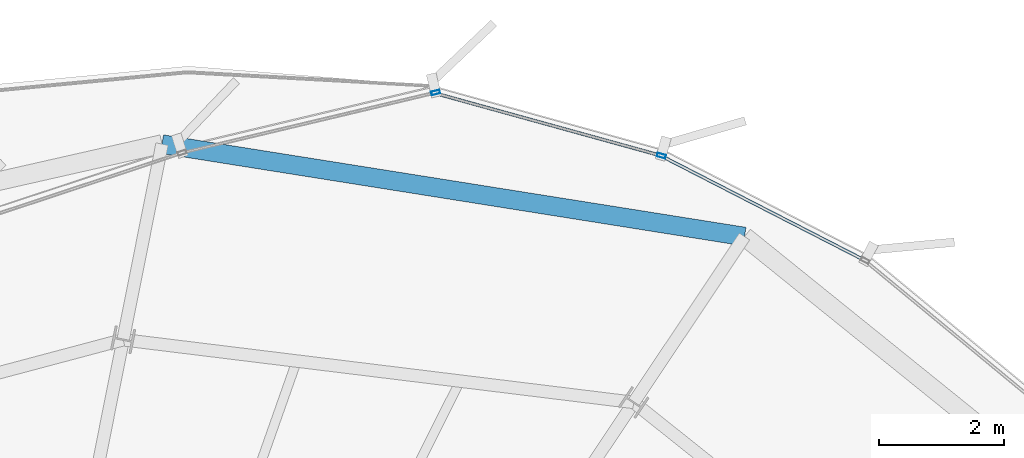
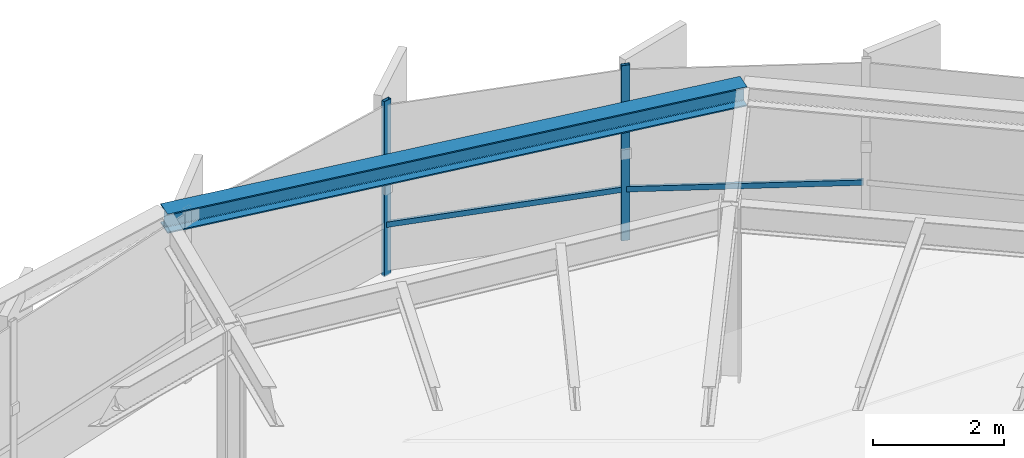
# One storey, part 25 of 33: 4 members, 1 beam, 1 element without a shape of its own.
"""IFC4 building model written with IfcOpenShell, lengths in metres."""

from ifc_helpers import new_model, si_unit, direction, frame, origin, origin_2d, place, context, subcontext, project, spatial, hollow_rectangle, i_section, extrude, source, transform, mapped, material, layer, layer_set, material_profile, profile_set, type_object, element, aggregate, save


model = new_model("IFC4")

# Units and contexts
model_context = context("Model", 3, precision=1e-05, world=origin(), true_north=direction((0.0, 1.0)))
body_context = subcontext(model_context, "Body", "Model", "MODEL_VIEW")
ifc_project = project(units=[si_unit("LENGTHUNIT", "METRE"), si_unit("AREAUNIT", "SQUARE_METRE"), si_unit("VOLUMEUNIT", "CUBIC_METRE"), si_unit("PLANEANGLEUNIT", "RADIAN"), si_unit("MASSUNIT", "GRAM", prefix="KILO"), si_unit("THERMODYNAMICTEMPERATUREUNIT", "KELVIN")], contexts=[model_context])

# Site, building, storey
site_placement = place(None, origin())
site = spatial("IfcSite", under=ifc_project, at=site_placement, CompositionType="ELEMENT")
building_placement = place(site_placement, origin())
building = spatial("IfcBuilding", under=site, at=building_placement, Name="Kethvar Cultural Tower", CompositionType="ELEMENT")
storey_placement = place(building_placement, frame((0.0, 0.0, 211.39990234375)))
storey = spatial("IfcBuildingStorey", under=building, at=storey_placement, Name="L55", CompositionType="ELEMENT", Elevation=211.39990234375)

# Beam
ifc_material_1 = material(Name="Steel S355J2", Category="steel")
ifc_material_profile_1 = material_profile(ifc_material_1, i_section(OverallWidth=0.300048828125, OverallDepth=0.360107421875, WebThickness=0.012451171875, FlangeThickness=0.0224609375, FilletRadius=0.027099609375, at=origin_2d()), Name="Steel S355J2 — HEB360")
ifc_profile_set_1 = profile_set([ifc_material_profile_1], Name="Steel S355J2 — HEB360")
beam_type = type_object("IfcBeamType", Name="BM-SP360", PredefinedType="SPANDREL", material=ifc_profile_set_1)
shared_shape_1 = source(origin(), body_context, "Body", "SweptSolid", [
    extrude(i_section(OverallWidth=0.300048828125, OverallDepth=0.360107421875, WebThickness=0.012451171875, FlangeThickness=0.0224609375, FilletRadius=0.027099609375, at=origin_2d()), origin(), (0.0, 0.0, 1.0), 9.461669921875),
])
beam_placement = place(storey_placement, frame((60.52587890625, 48.34228515625, 3.078125), z_axis=(-0.987629757191, 0.156803898904, 0.0), x_axis=(-0.156803898904, -0.987629757191, 0.0)))
element("IfcBeam", 1, at=beam_placement, inside=storey, type_object=beam_type, Name="L55 Perimeter Spandrel Beam SP-03", PredefinedType="SPANDREL", context=body_context, shape_type="MappedRepresentation", body=[
    mapped(shared_shape_1, transform((0.0, 0.0, 0.0), scale=1.0)),
])

# Curtain wall, members
ifc_material_2 = material(Name="Aluminium 6063-T6", Category="aluminium")
ifc_layer = layer(ifc_material_2, 0.179931640625, Name="Aluminium 6063-T6", Category="aluminium")
ifc_layer_set = layer_set([ifc_layer], Name="Aluminium 6063-T6 (180 mm)")
curtain_wall_type = type_object("IfcCurtainWallType", Name="CW-SYS-04-Z34", PredefinedType="NOTDEFINED", material=ifc_layer_set)
curtain_wall_placement = place(storey_placement, origin())
curtain_wall = element("IfcCurtainWall", 2, at=curtain_wall_placement, inside=storey, type_object=curtain_wall_type, Name="L55 Curtain Wall Run 01", PredefinedType="NOTDEFINED")
ifc_material_profile_2 = material_profile(ifc_material_2, hollow_rectangle(XDim=0.06005859375, YDim=0.139892578125, WallThickness=0.0048828125, at=origin_2d()), Name="Aluminium 6063-T6 — RHS140x60x5")
ifc_profile_set_2 = profile_set([ifc_material_profile_2], Name="Aluminium 6063-T6 — RHS140x60x5")
member_type_1 = type_object("IfcMemberType", Name="CW-SYS-04-Z34-MUL", PredefinedType="MULLION", material=ifc_profile_set_2)
shared_shape_2 = source(origin(), body_context, "Body", "SweptSolid", [
    extrude(hollow_rectangle(XDim=0.06005859375, YDim=0.139892578125, WallThickness=0.0048828125, at=origin_2d()), origin(), (0.0, 0.0, 1.0), 3.260009765625),
])
member_1_placement = place(storey_placement, frame((59.19091796875, 49.638671875, 0.0), z_axis=(0.0, 0.0, 1.0), x_axis=(-0.266245941641, -0.96390512944, 0.0)))
member_1 = element("IfcMember", 3, at=member_1_placement, type_object=member_type_1, Name="CW-L55-R01 Mullion 3", PredefinedType="MULLION", context=body_context, shape_type="MappedRepresentation", body=[
    mapped(shared_shape_2, transform((0.0, 0.0, 0.0), scale=1.0)),
])
member_2_placement = place(storey_placement, frame((55.5703125, 50.65283203125, 0.0), z_axis=(0.0, 0.0, 1.0), x_axis=(0.231408326543, -0.972856714222, 0.0)))
member_2 = element("IfcMember", 4, at=member_2_placement, type_object=member_type_1, Name="CW-L55-R01 Mullion 4", PredefinedType="MULLION", context=body_context, shape_type="MappedRepresentation", body=[
    mapped(shared_shape_2, transform((0.0, 0.0, 0.0), scale=1.0)),
])
ifc_material_profile_3 = material_profile(ifc_material_2, hollow_rectangle(XDim=0.050048828125, YDim=0.10009765625, WallThickness=0.00390625, at=origin_2d()), Name="Aluminium 6063-T6 — RHS100x50x4")
ifc_profile_set_3 = profile_set([ifc_material_profile_3], Name="Aluminium 6063-T6 — RHS100x50x4")
member_type_2 = type_object("IfcMemberType", Name="CW-SYS-04-Z34-TRN", PredefinedType="USERDEFINED", material=ifc_profile_set_3)
shared_shape_3 = source(origin(), body_context, "Body", "SweptSolid", [
    extrude(hollow_rectangle(XDim=0.050048828125, YDim=0.10009765625, WallThickness=0.00390625, at=origin_2d()), origin(), (0.0, 0.0, 1.0), 3.6123046875),
])
member_3_placement = place(storey_placement, frame((62.421875, 47.977294921875, 0.9501953125), z_axis=(-0.889632328999, 0.456677478314, 0.0), x_axis=(-0.456677478314, -0.889632328999, 0.0)))
member_3 = element("IfcMember", 5, at=member_3_placement, type_object=member_type_2, Name="CW-L55-R01 Transom 2", ObjectType="TRANSOM", PredefinedType="USERDEFINED", context=body_context, shape_type="MappedRepresentation", body=[
    mapped(shared_shape_3, transform((0.0, 0.0, 0.0), scale=1.0)),
])
shared_shape_4 = source(origin(), body_context, "Body", "SweptSolid", [
    extrude(hollow_rectangle(XDim=0.050048828125, YDim=0.10009765625, WallThickness=0.00390625, at=origin_2d()), origin(), (0.0, 0.0, 1.0), 3.7265625),
])
member_4_placement = place(storey_placement, frame((59.149169921875, 49.650146484375, 0.9501953125), z_axis=(-0.96390453801, 0.266248082816, 0.0), x_axis=(-0.266248082816, -0.96390453801, 0.0)))
member_4 = element("IfcMember", 6, at=member_4_placement, type_object=member_type_2, Name="CW-L55-R01 Transom 3", ObjectType="TRANSOM", PredefinedType="USERDEFINED", context=body_context, shape_type="MappedRepresentation", body=[
    mapped(shared_shape_4, transform((0.0, 0.0, 0.0), scale=1.0)),
])
aggregate(curtain_wall, [member_1, member_2, member_3, member_4])

save(model, "model.ifc")
